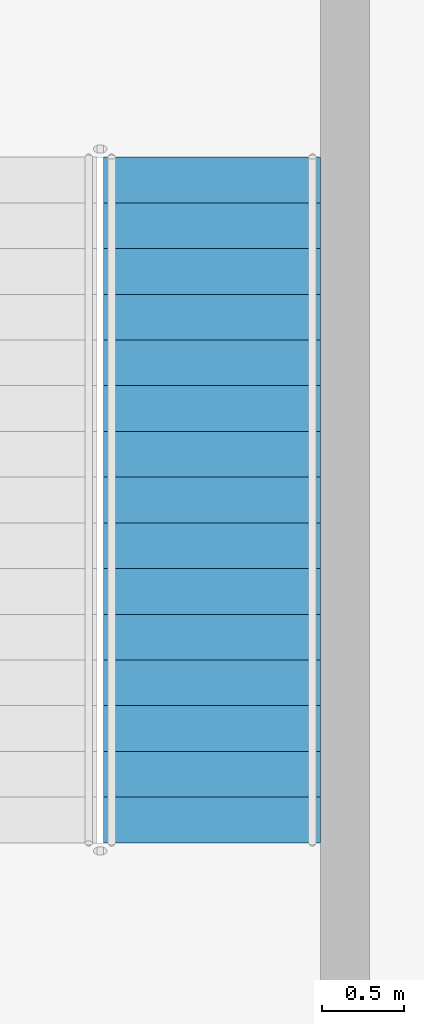
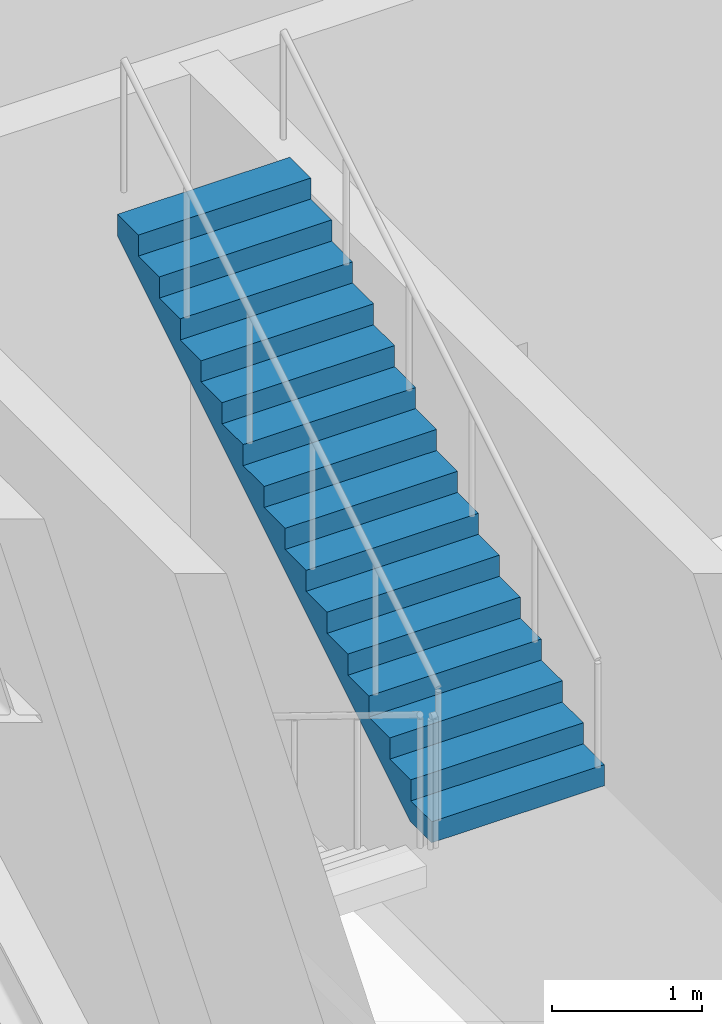
# One storey, part 9 of 18: 1 stair flight, 1 element without a shape of its own.
"""IFC4 building model written with IfcOpenShell, lengths in metres."""

from ifc_helpers import new_model, si_unit, direction, frame, origin, place, context, subcontext, project, spatial, triangles, source, transform, mapped, material, type_object, element, aggregate, save


model = new_model("IFC4")

# Units and contexts
model_context = context("Model", 3, precision=1e-05, world=origin(), true_north=direction((0.0, 1.0)))
body_context = subcontext(model_context, "Body", "Model", "MODEL_VIEW")
ifc_project = project(units=[si_unit("LENGTHUNIT", "METRE"), si_unit("AREAUNIT", "SQUARE_METRE"), si_unit("VOLUMEUNIT", "CUBIC_METRE"), si_unit("PLANEANGLEUNIT", "RADIAN"), si_unit("MASSUNIT", "GRAM", prefix="KILO")], contexts=[model_context])

# Site, building, storey
site_placement = place(None, origin())
site = spatial("IfcSite", under=ifc_project, at=site_placement, CompositionType="ELEMENT")
building_placement = place(site_placement, origin())
building = spatial("IfcBuilding", under=site, at=building_placement, Name="Ogive Portal Towers", CompositionType="ELEMENT")
storey_placement = place(building_placement, frame((0.0, 0.0, 190.300048828125)))
storey = spatial("IfcBuildingStorey", under=building, at=storey_placement, Name="L47", CompositionType="ELEMENT", Elevation=190.300048828125)

# Stair, stair flight
ifc_material = material(Name="Concrete C40/50", Category="concrete")
stair_type = type_object("IfcStairType", Name="INT-STAIR", PredefinedType="HALF_TURN_STAIR", material=ifc_material)
stair_placement = place(storey_placement, origin())
stair = element("IfcStair", 1, at=stair_placement, inside=storey, type_object=stair_type, Name="L47 Exit Stair ST-A4", PredefinedType="HALF_TURN_STAIR")
stair_flight_type = type_object("IfcStairFlightType", Name="INT-FLIGHT", PredefinedType="STRAIGHT", material=ifc_material)
shared_shape = source(origin(), body_context, "Body", "Tessellation", [
    triangles([(0.0, -0.6650390625, 0.0), (0.0, -0.384765625, 0.0), (0.0, -0.197021484375, 0.0), (0.0, -0.0830078125, 0.0), (0.0, -0.024658203125, 0.0), (0.0, -0.003173828125, 0.0), (0.0, 0.0, 0.0), (0.0, 0.003173828125, 0.0), (0.0, 0.024658203125, 0.0), (0.0, 0.0830078125, 0.0), (0.0, 0.197021484375, 0.0), (0.0, 0.384765625, 0.0), (0.0, 0.6650390625, 0.0), (0.0, -0.6650390625, 0.171875), (0.0, -0.384765625, 0.171875), (0.0, -0.197021484375, 0.171875), (0.0, -0.0830078125, 0.171875), (0.0, -0.024658203125, 0.171875), (0.0, -0.003173828125, 0.171875), (0.0, 0.0, 0.171875), (0.0, 0.003173828125, 0.171875), (0.0, 0.024658203125, 0.171875), (0.0, 0.0830078125, 0.171875), (0.0, 0.197021484375, 0.171875), (0.0, 0.384765625, 0.171875), (0.0, 0.6650390625, 0.171875), (0.280029296875, -0.6650390625, 0.171875), (0.280029296875, -0.384765625, 0.171875), (0.280029296875, -0.197021484375, 0.171875), (0.280029296875, -0.0830078125, 0.171875), (0.280029296875, -0.024658203125, 0.171875), (0.280029296875, -0.003173828125, 0.171875), (0.280029296875, 0.0, 0.171875), (0.280029296875, 0.003173828125, 0.171875), (0.280029296875, 0.024658203125, 0.171875), (0.280029296875, 0.0830078125, 0.171875), (0.280029296875, 0.197021484375, 0.171875), (0.280029296875, 0.384765625, 0.171875), (0.280029296875, 0.6650390625, 0.171875), (0.280029296875, -0.6650390625, 0.34375), (0.280029296875, -0.384765625, 0.34375), (0.280029296875, -0.197021484375, 0.34375), (0.280029296875, -0.0830078125, 0.34375), (0.280029296875, -0.024658203125, 0.34375), (0.280029296875, -0.003173828125, 0.34375), (0.280029296875, 0.0, 0.34375), (0.280029296875, 0.003173828125, 0.34375), (0.280029296875, 0.024658203125, 0.34375), (0.280029296875, 0.0830078125, 0.34375), (0.280029296875, 0.197021484375, 0.34375), (0.280029296875, 0.384765625, 0.34375), (0.280029296875, 0.6650390625, 0.34375), (0.56005859375, -0.6650390625, 0.34375), (0.56005859375, -0.384765625, 0.34375), (0.56005859375, -0.197021484375, 0.34375), (0.56005859375, -0.0830078125, 0.34375), (0.56005859375, -0.024658203125, 0.34375), (0.56005859375, -0.003173828125, 0.34375), (0.56005859375, 0.0, 0.34375), (0.56005859375, 0.003173828125, 0.34375), (0.56005859375, 0.024658203125, 0.34375), (0.56005859375, 0.0830078125, 0.34375), (0.56005859375, 0.197021484375, 0.34375), (0.56005859375, 0.384765625, 0.34375), (0.56005859375, 0.6650390625, 0.34375), (0.56005859375, -0.6650390625, 0.515625), (0.56005859375, -0.384765625, 0.515625), (0.56005859375, -0.197021484375, 0.515625), (0.56005859375, -0.0830078125, 0.515625), (0.56005859375, -0.024658203125, 0.515625), (0.56005859375, -0.003173828125, 0.515625), (0.56005859375, 0.0, 0.515625), (0.56005859375, 0.003173828125, 0.515625), (0.56005859375, 0.024658203125, 0.515625), (0.56005859375, 0.0830078125, 0.515625), (0.56005859375, 0.197021484375, 0.515625), (0.56005859375, 0.384765625, 0.515625), (0.56005859375, 0.6650390625, 0.515625), (0.840087890625, -0.6650390625, 0.515625), (0.840087890625, -0.384765625, 0.515625), (0.840087890625, -0.197021484375, 0.515625), (0.840087890625, -0.0830078125, 0.515625), (0.840087890625, -0.024658203125, 0.515625), (0.840087890625, -0.003173828125, 0.515625), (0.840087890625, 0.0, 0.515625), (0.840087890625, 0.003173828125, 0.515625), (0.840087890625, 0.024658203125, 0.515625), (0.840087890625, 0.0830078125, 0.515625), (0.840087890625, 0.197021484375, 0.515625), (0.840087890625, 0.384765625, 0.515625), (0.840087890625, 0.6650390625, 0.515625), (0.840087890625, -0.6650390625, 0.6875), (0.840087890625, -0.384765625, 0.6875), (0.840087890625, -0.197021484375, 0.6875), (0.840087890625, -0.0830078125, 0.6875), (0.840087890625, -0.024658203125, 0.6875), (0.840087890625, -0.003173828125, 0.6875), (0.840087890625, 0.0, 0.6875), (0.840087890625, 0.003173828125, 0.6875), (0.840087890625, 0.024658203125, 0.6875), (0.840087890625, 0.0830078125, 0.6875), (0.840087890625, 0.197021484375, 0.6875), (0.840087890625, 0.384765625, 0.6875), (0.840087890625, 0.6650390625, 0.6875), (1.1201171875, -0.6650390625, 0.6875), (1.1201171875, -0.384765625, 0.6875), (1.1201171875, -0.197021484375, 0.6875), (1.1201171875, -0.0830078125, 0.6875), (1.1201171875, -0.024658203125, 0.6875), (1.1201171875, -0.003173828125, 0.6875), (1.1201171875, 0.0, 0.6875), (1.1201171875, 0.003173828125, 0.6875), (1.1201171875, 0.024658203125, 0.6875), (1.1201171875, 0.0830078125, 0.6875), (1.1201171875, 0.197021484375, 0.6875), (1.1201171875, 0.384765625, 0.6875), (1.1201171875, 0.6650390625, 0.6875), (1.1201171875, -0.6650390625, 0.859375), (1.1201171875, -0.384765625, 0.859375), (1.1201171875, -0.197021484375, 0.859375), (1.1201171875, -0.0830078125, 0.859375), (1.1201171875, -0.024658203125, 0.859375), (1.1201171875, -0.003173828125, 0.859375), (1.1201171875, 0.0, 0.859375), (1.1201171875, 0.003173828125, 0.859375), (1.1201171875, 0.024658203125, 0.859375), (1.1201171875, 0.0830078125, 0.859375), (1.1201171875, 0.197021484375, 0.859375), (1.1201171875, 0.384765625, 0.859375), (1.1201171875, 0.6650390625, 0.859375), (1.39990234375, -0.6650390625, 0.859375), (1.39990234375, -0.384765625, 0.859375), (1.39990234375, -0.197021484375, 0.859375), (1.39990234375, -0.0830078125, 0.859375), (1.39990234375, -0.024658203125, 0.859375), (1.39990234375, -0.003173828125, 0.859375), (1.39990234375, 0.0, 0.859375), (1.39990234375, 0.003173828125, 0.859375), (1.39990234375, 0.024658203125, 0.859375), (1.39990234375, 0.0830078125, 0.859375), (1.39990234375, 0.197021484375, 0.859375), (1.39990234375, 0.384765625, 0.859375), (1.39990234375, 0.6650390625, 0.859375), (1.39990234375, -0.6650390625, 1.03125), (1.39990234375, -0.384765625, 1.03125), (1.39990234375, -0.197021484375, 1.03125), (1.39990234375, -0.0830078125, 1.03125), (1.39990234375, -0.024658203125, 1.03125), (1.39990234375, -0.003173828125, 1.03125), (1.39990234375, 0.0, 1.03125), (1.39990234375, 0.003173828125, 1.03125), (1.39990234375, 0.024658203125, 1.03125), (1.39990234375, 0.0830078125, 1.03125), (1.39990234375, 0.197021484375, 1.03125), (1.39990234375, 0.384765625, 1.03125), (1.39990234375, 0.6650390625, 1.03125), (1.679931640625, -0.6650390625, 1.03125), (1.679931640625, -0.384765625, 1.03125), (1.679931640625, -0.197021484375, 1.03125), (1.679931640625, -0.0830078125, 1.03125), (1.679931640625, -0.024658203125, 1.03125), (1.679931640625, -0.003173828125, 1.03125), (1.679931640625, 0.0, 1.03125), (1.679931640625, 0.003173828125, 1.03125), (1.679931640625, 0.024658203125, 1.03125), (1.679931640625, 0.0830078125, 1.03125), (1.679931640625, 0.197021484375, 1.03125), (1.679931640625, 0.384765625, 1.03125), (1.679931640625, 0.6650390625, 1.03125), (1.679931640625, -0.6650390625, 1.203125), (1.679931640625, -0.384765625, 1.203125), (1.679931640625, -0.197021484375, 1.203125), (1.679931640625, -0.0830078125, 1.203125), (1.679931640625, -0.024658203125, 1.203125), (1.679931640625, -0.003173828125, 1.203125), (1.679931640625, 0.0, 1.203125), (1.679931640625, 0.003173828125, 1.203125), (1.679931640625, 0.024658203125, 1.203125), (1.679931640625, 0.0830078125, 1.203125), (1.679931640625, 0.197021484375, 1.203125), (1.679931640625, 0.384765625, 1.203125), (1.679931640625, 0.6650390625, 1.203125), (1.9599609375, -0.6650390625, 1.203125), (1.9599609375, -0.384765625, 1.203125), (1.9599609375, -0.197021484375, 1.203125), (1.9599609375, -0.0830078125, 1.203125), (1.9599609375, -0.024658203125, 1.203125), (1.9599609375, -0.003173828125, 1.203125), (1.9599609375, 0.0, 1.203125), (1.9599609375, 0.003173828125, 1.203125), (1.9599609375, 0.024658203125, 1.203125), (1.9599609375, 0.0830078125, 1.203125), (1.9599609375, 0.197021484375, 1.203125), (1.9599609375, 0.384765625, 1.203125), (1.9599609375, 0.6650390625, 1.203125), (1.9599609375, -0.6650390625, 1.375), (1.9599609375, -0.384765625, 1.375), (1.9599609375, -0.197021484375, 1.375), (1.9599609375, -0.0830078125, 1.375), (1.9599609375, -0.024658203125, 1.375), (1.9599609375, -0.003173828125, 1.375), (1.9599609375, 0.0, 1.375), (1.9599609375, 0.003173828125, 1.375), (1.9599609375, 0.024658203125, 1.375), (1.9599609375, 0.0830078125, 1.375), (1.9599609375, 0.197021484375, 1.375), (1.9599609375, 0.384765625, 1.375), (1.9599609375, 0.6650390625, 1.375), (2.239990234375, -0.6650390625, 1.375), (2.239990234375, -0.384765625, 1.375), (2.239990234375, -0.197021484375, 1.375), (2.239990234375, -0.0830078125, 1.375), (2.239990234375, -0.024658203125, 1.375), (2.239990234375, -0.003173828125, 1.375), (2.239990234375, 0.0, 1.375), (2.239990234375, 0.003173828125, 1.375), (2.239990234375, 0.024658203125, 1.375), (2.239990234375, 0.0830078125, 1.375), (2.239990234375, 0.197021484375, 1.375), (2.239990234375, 0.384765625, 1.375), (2.239990234375, 0.6650390625, 1.375), (2.239990234375, -0.6650390625, 1.546875), (2.239990234375, -0.384765625, 1.546875), (2.239990234375, -0.197021484375, 1.546875), (2.239990234375, -0.0830078125, 1.546875), (2.239990234375, -0.024658203125, 1.546875), (2.239990234375, -0.003173828125, 1.546875), (2.239990234375, 0.0, 1.546875), (2.239990234375, 0.003173828125, 1.546875), (2.239990234375, 0.024658203125, 1.546875), (2.239990234375, 0.0830078125, 1.546875), (2.239990234375, 0.197021484375, 1.546875), (2.239990234375, 0.384765625, 1.546875), (2.239990234375, 0.6650390625, 1.546875), (2.52001953125, -0.6650390625, 1.546875), (2.52001953125, -0.384765625, 1.546875), (2.52001953125, -0.197021484375, 1.546875), (2.52001953125, -0.0830078125, 1.546875), (2.52001953125, -0.024658203125, 1.546875), (2.52001953125, -0.003173828125, 1.546875), (2.52001953125, 0.0, 1.546875), (2.52001953125, 0.003173828125, 1.546875), (2.52001953125, 0.024658203125, 1.546875), (2.52001953125, 0.0830078125, 1.546875), (2.52001953125, 0.197021484375, 1.546875), (2.52001953125, 0.384765625, 1.546875), (2.52001953125, 0.6650390625, 1.546875), (2.52001953125, -0.6650390625, 1.71875), (2.52001953125, -0.384765625, 1.71875), (2.52001953125, -0.197021484375, 1.71875), (2.52001953125, -0.0830078125, 1.71875), (2.52001953125, -0.024658203125, 1.71875), (2.52001953125, -0.003173828125, 1.71875), (2.52001953125, 0.0, 1.71875), (2.52001953125, 0.003173828125, 1.71875), (2.52001953125, 0.024658203125, 1.71875), (2.52001953125, 0.0830078125, 1.71875), (2.52001953125, 0.197021484375, 1.71875), (2.52001953125, 0.384765625, 1.71875), (2.52001953125, 0.6650390625, 1.71875), (2.800048828125, -0.6650390625, 1.71875), (2.800048828125, -0.384765625, 1.71875), (2.800048828125, -0.197021484375, 1.71875), (2.800048828125, -0.0830078125, 1.71875), (2.800048828125, -0.024658203125, 1.71875), (2.800048828125, -0.003173828125, 1.71875), (2.800048828125, 0.0, 1.71875), (2.800048828125, 0.003173828125, 1.71875), (2.800048828125, 0.024658203125, 1.71875), (2.800048828125, 0.0830078125, 1.71875), (2.800048828125, 0.197021484375, 1.71875), (2.800048828125, 0.384765625, 1.71875), (2.800048828125, 0.6650390625, 1.71875), (2.800048828125, -0.6650390625, 1.890625), (2.800048828125, -0.384765625, 1.890625), (2.800048828125, -0.197021484375, 1.890625), (2.800048828125, -0.0830078125, 1.890625), (2.800048828125, -0.024658203125, 1.890625), (2.800048828125, -0.003173828125, 1.890625), (2.800048828125, 0.0, 1.890625), (2.800048828125, 0.003173828125, 1.890625), (2.800048828125, 0.024658203125, 1.890625), (2.800048828125, 0.0830078125, 1.890625), (2.800048828125, 0.197021484375, 1.890625), (2.800048828125, 0.384765625, 1.890625), (2.800048828125, 0.6650390625, 1.890625), (3.080078125, -0.6650390625, 1.890625), (3.080078125, -0.384765625, 1.890625), (3.080078125, -0.197021484375, 1.890625), (3.080078125, -0.0830078125, 1.890625), (3.080078125, -0.024658203125, 1.890625), (3.080078125, -0.003173828125, 1.890625), (3.080078125, 0.0, 1.890625), (3.080078125, 0.003173828125, 1.890625), (3.080078125, 0.024658203125, 1.890625), (3.080078125, 0.0830078125, 1.890625), (3.080078125, 0.197021484375, 1.890625), (3.080078125, 0.384765625, 1.890625), (3.080078125, 0.6650390625, 1.890625), (3.080078125, -0.6650390625, 2.0625), (3.080078125, -0.384765625, 2.0625), (3.080078125, -0.197021484375, 2.0625), (3.080078125, -0.0830078125, 2.0625), (3.080078125, -0.024658203125, 2.0625), (3.080078125, -0.003173828125, 2.0625), (3.080078125, 0.0, 2.0625), (3.080078125, 0.003173828125, 2.0625), (3.080078125, 0.024658203125, 2.0625), (3.080078125, 0.0830078125, 2.0625), (3.080078125, 0.197021484375, 2.0625), (3.080078125, 0.384765625, 2.0625), (3.080078125, 0.6650390625, 2.0625), (3.360107421875, -0.6650390625, 2.0625), (3.360107421875, -0.384765625, 2.0625), (3.360107421875, -0.197021484375, 2.0625), (3.360107421875, -0.0830078125, 2.0625), (3.360107421875, -0.024658203125, 2.0625), (3.360107421875, -0.003173828125, 2.0625), (3.360107421875, 0.0, 2.0625), (3.360107421875, 0.003173828125, 2.0625), (3.360107421875, 0.024658203125, 2.0625), (3.360107421875, 0.0830078125, 2.0625), (3.360107421875, 0.197021484375, 2.0625), (3.360107421875, 0.384765625, 2.0625), (3.360107421875, 0.6650390625, 2.0625), (3.360107421875, -0.6650390625, 2.234375), (3.360107421875, -0.384765625, 2.234375), (3.360107421875, -0.197021484375, 2.234375), (3.360107421875, -0.0830078125, 2.234375), (3.360107421875, -0.024658203125, 2.234375), (3.360107421875, -0.003173828125, 2.234375), (3.360107421875, 0.0, 2.234375), (3.360107421875, 0.003173828125, 2.234375), (3.360107421875, 0.024658203125, 2.234375), (3.360107421875, 0.0830078125, 2.234375), (3.360107421875, 0.197021484375, 2.234375), (3.360107421875, 0.384765625, 2.234375), (3.360107421875, 0.6650390625, 2.234375), (3.639892578125, -0.6650390625, 2.234375), (3.639892578125, -0.384765625, 2.234375), (3.639892578125, -0.197021484375, 2.234375), (3.639892578125, -0.0830078125, 2.234375), (3.639892578125, -0.024658203125, 2.234375), (3.639892578125, -0.003173828125, 2.234375), (3.639892578125, 0.0, 2.234375), (3.639892578125, 0.003173828125, 2.234375), (3.639892578125, 0.024658203125, 2.234375), (3.639892578125, 0.0830078125, 2.234375), (3.639892578125, 0.197021484375, 2.234375), (3.639892578125, 0.384765625, 2.234375), (3.639892578125, 0.6650390625, 2.234375), (3.639892578125, -0.6650390625, 2.40625), (3.639892578125, -0.384765625, 2.40625), (3.639892578125, -0.197021484375, 2.40625), (3.639892578125, -0.0830078125, 2.40625), (3.639892578125, -0.024658203125, 2.40625), (3.639892578125, -0.003173828125, 2.40625), (3.639892578125, 0.0, 2.40625), (3.639892578125, 0.003173828125, 2.40625), (3.639892578125, 0.024658203125, 2.40625), (3.639892578125, 0.0830078125, 2.40625), (3.639892578125, 0.197021484375, 2.40625), (3.639892578125, 0.384765625, 2.40625), (3.639892578125, 0.6650390625, 2.40625), (3.919921875, -0.6650390625, 2.40625), (3.919921875, -0.384765625, 2.40625), (3.919921875, -0.197021484375, 2.40625), (3.919921875, -0.0830078125, 2.40625), (3.919921875, -0.024658203125, 2.40625), (3.919921875, -0.003173828125, 2.40625), (3.919921875, 0.0, 2.40625), (3.919921875, 0.003173828125, 2.40625), (3.919921875, 0.024658203125, 2.40625), (3.919921875, 0.0830078125, 2.40625), (3.919921875, 0.197021484375, 2.40625), (3.919921875, 0.384765625, 2.40625), (3.919921875, 0.6650390625, 2.40625), (3.919921875, -0.6650390625, 2.578125), (3.919921875, -0.384765625, 2.578125), (3.919921875, -0.197021484375, 2.578125), (3.919921875, -0.0830078125, 2.578125), (3.919921875, -0.024658203125, 2.578125), (3.919921875, -0.003173828125, 2.578125), (3.919921875, 0.0, 2.578125), (3.919921875, 0.003173828125, 2.578125), (3.919921875, 0.024658203125, 2.578125), (3.919921875, 0.0830078125, 2.578125), (3.919921875, 0.197021484375, 2.578125), (3.919921875, 0.384765625, 2.578125), (3.919921875, 0.6650390625, 2.578125), (4.199951171875, -0.6650390625, 2.578125), (4.199951171875, -0.384765625, 2.578125), (4.199951171875, -0.197021484375, 2.578125), (4.199951171875, -0.0830078125, 2.578125), (4.199951171875, -0.024658203125, 2.578125), (4.199951171875, -0.003173828125, 2.578125), (4.199951171875, 0.0, 2.578125), (4.199951171875, 0.003173828125, 2.578125), (4.199951171875, 0.024658203125, 2.578125), (4.199951171875, 0.0830078125, 2.578125), (4.199951171875, 0.197021484375, 2.578125), (4.199951171875, 0.384765625, 2.578125), (4.199951171875, 0.6650390625, 2.578125), (4.199951171875, -0.6650390625, 2.40234375), (4.199951171875, -0.384765625, 2.40234375), (4.199951171875, -0.197021484375, 2.40234375), (4.199951171875, -0.0830078125, 2.40234375), (4.199951171875, -0.024658203125, 2.40234375), (4.199951171875, -0.003173828125, 2.40234375), (4.199951171875, 0.0, 2.40234375), (4.199951171875, 0.003173828125, 2.40234375), (4.199951171875, 0.024658203125, 2.40234375), (4.199951171875, 0.0830078125, 2.40234375), (4.199951171875, 0.197021484375, 2.40234375), (4.199951171875, 0.384765625, 2.40234375), (4.199951171875, 0.6650390625, 2.40234375), (0.28662109375, -0.6650390625, 0.0), (0.28662109375, -0.384765625, 0.0), (0.28662109375, -0.197021484375, 0.0), (0.28662109375, -0.0830078125, 0.0), (0.28662109375, -0.024658203125, 0.0), (0.28662109375, -0.003173828125, 0.0), (0.28662109375, 0.0, 0.0), (0.28662109375, 0.003173828125, 0.0), (0.28662109375, 0.024658203125, 0.0), (0.28662109375, 0.0830078125, 0.0), (0.28662109375, 0.197021484375, 0.0), (0.28662109375, 0.384765625, 0.0), (0.28662109375, 0.6650390625, 0.0)], [[1, 14, 15], [1, 15, 2], [2, 15, 16], [2, 16, 3], [3, 16, 17], [3, 17, 4], [4, 17, 18], [4, 18, 5], [5, 18, 19], [5, 19, 6], [6, 19, 20], [6, 20, 7], [7, 20, 21], [7, 21, 8], [8, 21, 22], [8, 22, 9], [9, 22, 23], [9, 23, 10], [10, 23, 24], [10, 24, 11], [11, 24, 25], [11, 25, 12], [12, 25, 26], [12, 26, 13], [14, 27, 28], [14, 28, 15], [15, 28, 29], [15, 29, 16], [16, 29, 30], [16, 30, 17], [17, 30, 31], [17, 31, 18], [18, 31, 32], [18, 32, 19], [19, 32, 33], [19, 33, 20], [20, 33, 34], [20, 34, 21], [21, 34, 35], [21, 35, 22], [22, 35, 36], [22, 36, 23], [23, 36, 37], [23, 37, 24], [24, 37, 38], [24, 38, 25], [25, 38, 39], [25, 39, 26], [27, 40, 41], [27, 41, 28], [28, 41, 42], [28, 42, 29], [29, 42, 43], [29, 43, 30], [30, 43, 44], [30, 44, 31], [31, 44, 45], [31, 45, 32], [32, 45, 46], [32, 46, 33], [33, 46, 47], [33, 47, 34], [34, 47, 48], [34, 48, 35], [35, 48, 49], [35, 49, 36], [36, 49, 50], [36, 50, 37], [37, 50, 51], [37, 51, 38], [38, 51, 52], [38, 52, 39], [40, 53, 54], [40, 54, 41], [41, 54, 55], [41, 55, 42], [42, 55, 56], [42, 56, 43], [43, 56, 57], [43, 57, 44], [44, 57, 58], [44, 58, 45], [45, 58, 59], [45, 59, 46], [46, 59, 60], [46, 60, 47], [47, 60, 61], [47, 61, 48], [48, 61, 62], [48, 62, 49], [49, 62, 63], [49, 63, 50], [50, 63, 64], [50, 64, 51], [51, 64, 65], [51, 65, 52], [53, 66, 67], [53, 67, 54], [54, 67, 68], [54, 68, 55], [55, 68, 69], [55, 69, 56], [56, 69, 70], [56, 70, 57], [57, 70, 71], [57, 71, 58], [58, 71, 72], [58, 72, 59], [59, 72, 73], [59, 73, 60], [60, 73, 74], [60, 74, 61], [61, 74, 75], [61, 75, 62], [62, 75, 76], [62, 76, 63], [63, 76, 77], [63, 77, 64], [64, 77, 78], [64, 78, 65], [66, 79, 80], [66, 80, 67], [67, 80, 81], [67, 81, 68], [68, 81, 82], [68, 82, 69], [69, 82, 83], [69, 83, 70], [70, 83, 84], [70, 84, 71], [71, 84, 85], [71, 85, 72], [72, 85, 86], [72, 86, 73], [73, 86, 87], [73, 87, 74], [74, 87, 88], [74, 88, 75], [75, 88, 89], [75, 89, 76], [76, 89, 90], [76, 90, 77], [77, 90, 91], [77, 91, 78], [79, 92, 93], [79, 93, 80], [80, 93, 94], [80, 94, 81], [81, 94, 95], [81, 95, 82], [82, 95, 96], [82, 96, 83], [83, 96, 97], [83, 97, 84], [84, 97, 98], [84, 98, 85], [85, 98, 99], [85, 99, 86], [86, 99, 100], [86, 100, 87], [87, 100, 101], [87, 101, 88], [88, 101, 102], [88, 102, 89], [89, 102, 103], [89, 103, 90], [90, 103, 104], [90, 104, 91], [92, 105, 106], [92, 106, 93], [93, 106, 107], [93, 107, 94], [94, 107, 108], [94, 108, 95], [95, 108, 109], [95, 109, 96], [96, 109, 110], [96, 110, 97], [97, 110, 111], [97, 111, 98], [98, 111, 112], [98, 112, 99], [99, 112, 113], [99, 113, 100], [100, 113, 114], [100, 114, 101], [101, 114, 115], [101, 115, 102], [102, 115, 116], [102, 116, 103], [103, 116, 117], [103, 117, 104], [105, 118, 119], [105, 119, 106], [106, 119, 120], [106, 120, 107], [107, 120, 121], [107, 121, 108], [108, 121, 122], [108, 122, 109], [109, 122, 123], [109, 123, 110], [110, 123, 124], [110, 124, 111], [111, 124, 125], [111, 125, 112], [112, 125, 126], [112, 126, 113], [113, 126, 127], [113, 127, 114], [114, 127, 128], [114, 128, 115], [115, 128, 129], [115, 129, 116], [116, 129, 130], [116, 130, 117], [118, 131, 132], [118, 132, 119], [119, 132, 133], [119, 133, 120], [120, 133, 134], [120, 134, 121], [121, 134, 135], [121, 135, 122], [122, 135, 136], [122, 136, 123], [123, 136, 137], [123, 137, 124], [124, 137, 138], [124, 138, 125], [125, 138, 139], [125, 139, 126], [126, 139, 140], [126, 140, 127], [127, 140, 141], [127, 141, 128], [128, 141, 142], [128, 142, 129], [129, 142, 143], [129, 143, 130], [131, 144, 145], [131, 145, 132], [132, 145, 146], [132, 146, 133], [133, 146, 147], [133, 147, 134], [134, 147, 148], [134, 148, 135], [135, 148, 149], [135, 149, 136], [136, 149, 150], [136, 150, 137], [137, 150, 151], [137, 151, 138], [138, 151, 152], [138, 152, 139], [139, 152, 153], [139, 153, 140], [140, 153, 154], [140, 154, 141], [141, 154, 155], [141, 155, 142], [142, 155, 156], [142, 156, 143], [144, 157, 158], [144, 158, 145], [145, 158, 159], [145, 159, 146], [146, 159, 160], [146, 160, 147], [147, 160, 161], [147, 161, 148], [148, 161, 162], [148, 162, 149], [149, 162, 163], [149, 163, 150], [150, 163, 164], [150, 164, 151], [151, 164, 165], [151, 165, 152], [152, 165, 166], [152, 166, 153], [153, 166, 167], [153, 167, 154], [154, 167, 168], [154, 168, 155], [155, 168, 169], [155, 169, 156], [157, 170, 171], [157, 171, 158], [158, 171, 172], [158, 172, 159], [159, 172, 173], [159, 173, 160], [160, 173, 174], [160, 174, 161], [161, 174, 175], [161, 175, 162], [162, 175, 176], [162, 176, 163], [163, 176, 177], [163, 177, 164], [164, 177, 178], [164, 178, 165], [165, 178, 179], [165, 179, 166], [166, 179, 180], [166, 180, 167], [167, 180, 181], [167, 181, 168], [168, 181, 182], [168, 182, 169], [170, 183, 184], [170, 184, 171], [171, 184, 185], [171, 185, 172], [172, 185, 186], [172, 186, 173], [173, 186, 187], [173, 187, 174], [174, 187, 188], [174, 188, 175], [175, 188, 189], [175, 189, 176], [176, 189, 190], [176, 190, 177], [177, 190, 191], [177, 191, 178], [178, 191, 192], [178, 192, 179], [179, 192, 193], [179, 193, 180], [180, 193, 194], [180, 194, 181], [181, 194, 195], [181, 195, 182], [183, 196, 197], [183, 197, 184], [184, 197, 198], [184, 198, 185], [185, 198, 199], [185, 199, 186], [186, 199, 200], [186, 200, 187], [187, 200, 201], [187, 201, 188], [188, 201, 202], [188, 202, 189], [189, 202, 203], [189, 203, 190], [190, 203, 204], [190, 204, 191], [191, 204, 205], [191, 205, 192], [192, 205, 206], [192, 206, 193], [193, 206, 207], [193, 207, 194], [194, 207, 208], [194, 208, 195], [196, 209, 210], [196, 210, 197], [197, 210, 211], [197, 211, 198], [198, 211, 212], [198, 212, 199], [199, 212, 213], [199, 213, 200], [200, 213, 214], [200, 214, 201], [201, 214, 215], [201, 215, 202], [202, 215, 216], [202, 216, 203], [203, 216, 217], [203, 217, 204], [204, 217, 218], [204, 218, 205], [205, 218, 219], [205, 219, 206], [206, 219, 220], [206, 220, 207], [207, 220, 221], [207, 221, 208], [209, 222, 223], [209, 223, 210], [210, 223, 224], [210, 224, 211], [211, 224, 225], [211, 225, 212], [212, 225, 226], [212, 226, 213], [213, 226, 227], [213, 227, 214], [214, 227, 228], [214, 228, 215], [215, 228, 229], [215, 229, 216], [216, 229, 230], [216, 230, 217], [217, 230, 231], [217, 231, 218], [218, 231, 232], [218, 232, 219], [219, 232, 233], [219, 233, 220], [220, 233, 234], [220, 234, 221], [222, 235, 236], [222, 236, 223], [223, 236, 237], [223, 237, 224], [224, 237, 238], [224, 238, 225], [225, 238, 239], [225, 239, 226], [226, 239, 240], [226, 240, 227], [227, 240, 241], [227, 241, 228], [228, 241, 242], [228, 242, 229], [229, 242, 243], [229, 243, 230], [230, 243, 244], [230, 244, 231], [231, 244, 245], [231, 245, 232], [232, 245, 246], [232, 246, 233], [233, 246, 247], [233, 247, 234], [235, 248, 249], [235, 249, 236], [236, 249, 250], [236, 250, 237], [237, 250, 251], [237, 251, 238], [238, 251, 252], [238, 252, 239], [239, 252, 253], [239, 253, 240], [240, 253, 254], [240, 254, 241], [241, 254, 255], [241, 255, 242], [242, 255, 256], [242, 256, 243], [243, 256, 257], [243, 257, 244], [244, 257, 258], [244, 258, 245], [245, 258, 259], [245, 259, 246], [246, 259, 260], [246, 260, 247], [248, 261, 262], [248, 262, 249], [249, 262, 263], [249, 263, 250], [250, 263, 264], [250, 264, 251], [251, 264, 265], [251, 265, 252], [252, 265, 266], [252, 266, 253], [253, 266, 267], [253, 267, 254], [254, 267, 268], [254, 268, 255], [255, 268, 269], [255, 269, 256], [256, 269, 270], [256, 270, 257], [257, 270, 271], [257, 271, 258], [258, 271, 272], [258, 272, 259], [259, 272, 273], [259, 273, 260], [261, 274, 275], [261, 275, 262], [262, 275, 276], [262, 276, 263], [263, 276, 277], [263, 277, 264], [264, 277, 278], [264, 278, 265], [265, 278, 279], [265, 279, 266], [266, 279, 280], [266, 280, 267], [267, 280, 281], [267, 281, 268], [268, 281, 282], [268, 282, 269], [269, 282, 283], [269, 283, 270], [270, 283, 284], [270, 284, 271], [271, 284, 285], [271, 285, 272], [272, 285, 286], [272, 286, 273], [274, 287, 288], [274, 288, 275], [275, 288, 289], [275, 289, 276], [276, 289, 290], [276, 290, 277], [277, 290, 291], [277, 291, 278], [278, 291, 292], [278, 292, 279], [279, 292, 293], [279, 293, 280], [280, 293, 294], [280, 294, 281], [281, 294, 295], [281, 295, 282], [282, 295, 296], [282, 296, 283], [283, 296, 297], [283, 297, 284], [284, 297, 298], [284, 298, 285], [285, 298, 299], [285, 299, 286], [287, 300, 301], [287, 301, 288], [288, 301, 302], [288, 302, 289], [289, 302, 303], [289, 303, 290], [290, 303, 304], [290, 304, 291], [291, 304, 305], [291, 305, 292], [292, 305, 306], [292, 306, 293], [293, 306, 307], [293, 307, 294], [294, 307, 308], [294, 308, 295], [295, 308, 309], [295, 309, 296], [296, 309, 310], [296, 310, 297], [297, 310, 311], [297, 311, 298], [298, 311, 312], [298, 312, 299], [300, 313, 314], [300, 314, 301], [301, 314, 315], [301, 315, 302], [302, 315, 316], [302, 316, 303], [303, 316, 317], [303, 317, 304], [304, 317, 318], [304, 318, 305], [305, 318, 319], [305, 319, 306], [306, 319, 320], [306, 320, 307], [307, 320, 321], [307, 321, 308], [308, 321, 322], [308, 322, 309], [309, 322, 323], [309, 323, 310], [310, 323, 324], [310, 324, 311], [311, 324, 325], [311, 325, 312], [313, 326, 327], [313, 327, 314], [314, 327, 328], [314, 328, 315], [315, 328, 329], [315, 329, 316], [316, 329, 330], [316, 330, 317], [317, 330, 331], [317, 331, 318], [318, 331, 332], [318, 332, 319], [319, 332, 333], [319, 333, 320], [320, 333, 334], [320, 334, 321], [321, 334, 335], [321, 335, 322], [322, 335, 336], [322, 336, 323], [323, 336, 337], [323, 337, 324], [324, 337, 338], [324, 338, 325], [326, 339, 340], [326, 340, 327], [327, 340, 341], [327, 341, 328], [328, 341, 342], [328, 342, 329], [329, 342, 343], [329, 343, 330], [330, 343, 344], [330, 344, 331], [331, 344, 345], [331, 345, 332], [332, 345, 346], [332, 346, 333], [333, 346, 347], [333, 347, 334], [334, 347, 348], [334, 348, 335], [335, 348, 349], [335, 349, 336], [336, 349, 350], [336, 350, 337], [337, 350, 351], [337, 351, 338], [339, 352, 353], [339, 353, 340], [340, 353, 354], [340, 354, 341], [341, 354, 355], [341, 355, 342], [342, 355, 356], [342, 356, 343], [343, 356, 357], [343, 357, 344], [344, 357, 358], [344, 358, 345], [345, 358, 359], [345, 359, 346], [346, 359, 360], [346, 360, 347], [347, 360, 361], [347, 361, 348], [348, 361, 362], [348, 362, 349], [349, 362, 363], [349, 363, 350], [350, 363, 364], [350, 364, 351], [352, 365, 366], [352, 366, 353], [353, 366, 367], [353, 367, 354], [354, 367, 368], [354, 368, 355], [355, 368, 369], [355, 369, 356], [356, 369, 370], [356, 370, 357], [357, 370, 371], [357, 371, 358], [358, 371, 372], [358, 372, 359], [359, 372, 373], [359, 373, 360], [360, 373, 374], [360, 374, 361], [361, 374, 375], [361, 375, 362], [362, 375, 376], [362, 376, 363], [363, 376, 377], [363, 377, 364], [365, 378, 379], [365, 379, 366], [366, 379, 380], [366, 380, 367], [367, 380, 381], [367, 381, 368], [368, 381, 382], [368, 382, 369], [369, 382, 383], [369, 383, 370], [370, 383, 384], [370, 384, 371], [371, 384, 385], [371, 385, 372], [372, 385, 386], [372, 386, 373], [373, 386, 387], [373, 387, 374], [374, 387, 388], [374, 388, 375], [375, 388, 389], [375, 389, 376], [376, 389, 390], [376, 390, 377], [378, 391, 392], [378, 392, 379], [379, 392, 393], [379, 393, 380], [380, 393, 394], [380, 394, 381], [381, 394, 395], [381, 395, 382], [382, 395, 396], [382, 396, 383], [383, 396, 397], [383, 397, 384], [384, 397, 398], [384, 398, 385], [385, 398, 399], [385, 399, 386], [386, 399, 400], [386, 400, 387], [387, 400, 401], [387, 401, 388], [388, 401, 402], [388, 402, 389], [389, 402, 403], [389, 403, 390], [391, 404, 405], [391, 405, 392], [392, 405, 406], [392, 406, 393], [393, 406, 407], [393, 407, 394], [394, 407, 408], [394, 408, 395], [395, 408, 409], [395, 409, 396], [396, 409, 410], [396, 410, 397], [397, 410, 411], [397, 411, 398], [398, 411, 412], [398, 412, 399], [399, 412, 413], [399, 413, 400], [400, 413, 414], [400, 414, 401], [401, 414, 415], [401, 415, 402], [402, 415, 416], [402, 416, 403], [404, 417, 418], [404, 418, 405], [405, 418, 419], [405, 419, 406], [406, 419, 420], [406, 420, 407], [407, 420, 421], [407, 421, 408], [408, 421, 422], [408, 422, 409], [409, 422, 423], [409, 423, 410], [410, 423, 424], [410, 424, 411], [411, 424, 425], [411, 425, 412], [412, 425, 426], [412, 426, 413], [413, 426, 427], [413, 427, 414], [414, 427, 428], [414, 428, 415], [415, 428, 429], [415, 429, 416], [417, 1, 2], [417, 2, 418], [418, 2, 3], [418, 3, 419], [419, 3, 4], [419, 4, 420], [420, 4, 5], [420, 5, 421], [421, 5, 6], [421, 6, 422], [422, 6, 7], [422, 7, 423], [423, 7, 8], [423, 8, 424], [424, 8, 9], [424, 9, 425], [425, 9, 10], [425, 10, 426], [426, 10, 11], [426, 11, 427], [427, 11, 12], [427, 12, 428], [428, 12, 13], [428, 13, 429], [1, 417, 404], [13, 416, 429], [404, 391, 378], [416, 390, 403], [404, 378, 365], [416, 377, 390], [404, 365, 352], [416, 364, 377], [404, 352, 339], [416, 351, 364], [339, 326, 313], [351, 325, 338], [404, 339, 313], [416, 325, 351], [313, 300, 287], [325, 299, 312], [404, 313, 287], [416, 299, 325], [287, 274, 261], [299, 273, 286], [404, 287, 261], [416, 273, 299], [261, 248, 235], [273, 247, 260], [404, 261, 235], [416, 247, 273], [235, 222, 209], [247, 221, 234], [404, 235, 209], [416, 221, 247], [209, 196, 183], [221, 195, 208], [404, 209, 183], [416, 195, 221], [183, 170, 157], [195, 169, 182], [404, 183, 157], [416, 169, 195], [157, 144, 131], [169, 143, 156], [404, 157, 131], [416, 143, 169], [131, 118, 105], [143, 117, 130], [404, 131, 105], [416, 117, 143], [105, 92, 79], [117, 91, 104], [404, 105, 79], [416, 91, 117], [79, 66, 53], [91, 65, 78], [404, 79, 53], [416, 65, 91], [53, 40, 27], [65, 39, 52], [404, 53, 27], [416, 39, 65], [1, 404, 27], [13, 39, 416], [27, 14, 1], [39, 13, 26]], closed=True),
])
stair_flight_placement = place(storey_placement, frame((89.034912109375, 24.969970703125, 2.75), z_axis=(0.0, 0.0, 1.0), x_axis=(0.0, 1.0, 0.0)))
stair_flight = element("IfcStairFlight", 2, at=stair_flight_placement, type_object=stair_flight_type, Name="ST-A4 flight 2", NumberOfRisers=16, NumberOfTreads=15, PredefinedType="STRAIGHT", RiserHeight=0.171875, TreadLength=0.28, context=body_context, shape_type="MappedRepresentation", body=[
    mapped(shared_shape, transform((0.0, 0.0, 0.0), scale=1.0)),
])
aggregate(stair, [stair_flight])

save(model, "model.ifc")
